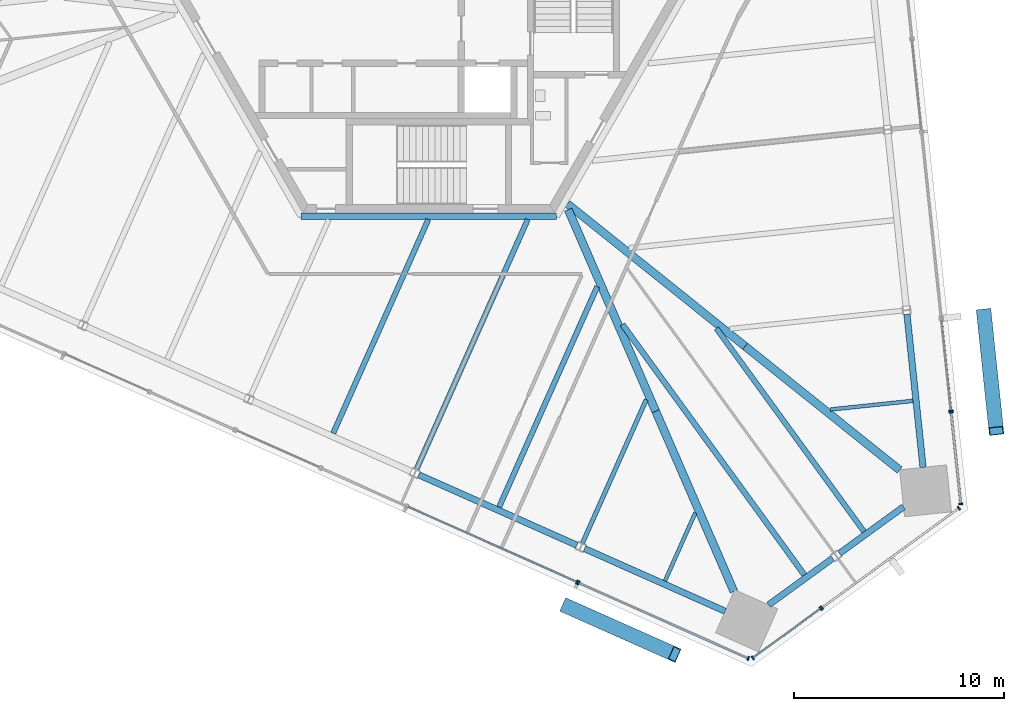
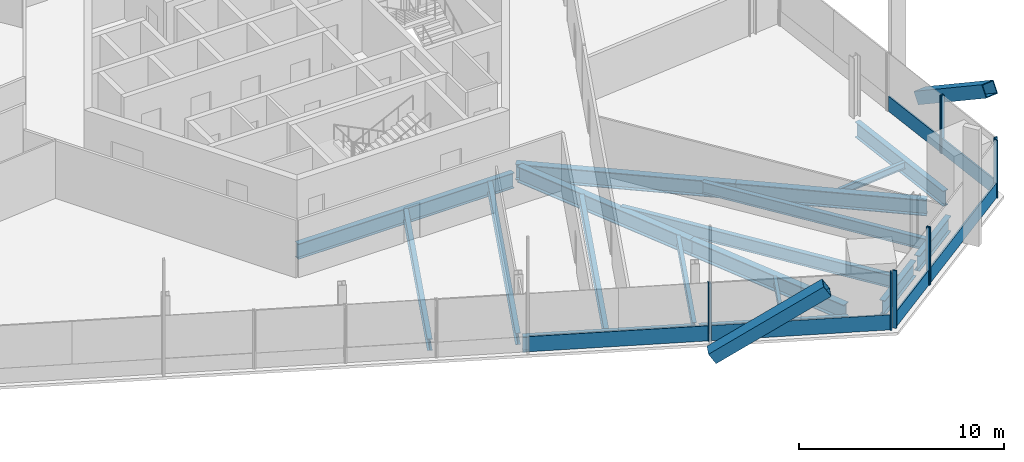
# One storey, part 4 of 21: 18 beams, 18 members, 6 elements without a shape of their own.
"""IFC4 building model written with IfcOpenShell, lengths in metres."""

from ifc_helpers import new_model, si_unit, direction, frame, origin, origin_2d, place, context, subcontext, project, spatial, rectangle, hollow_rectangle, i_section, extrude, source, transform, mapped, material, material_profile, profile_set, type_object, element, aggregate, save


model = new_model("IFC4")

# Units and contexts
model_context = context("Model", 3, precision=1e-05, world=origin(), true_north=direction((0.0, 1.0)))
body_context = subcontext(model_context, "Body", "Model", "MODEL_VIEW")
ifc_project = project(units=[si_unit("LENGTHUNIT", "METRE"), si_unit("AREAUNIT", "SQUARE_METRE"), si_unit("VOLUMEUNIT", "CUBIC_METRE"), si_unit("PLANEANGLEUNIT", "RADIAN"), si_unit("MASSUNIT", "GRAM", prefix="KILO")], contexts=[model_context])

# Site, building, storey
site_placement = place(None, origin())
site = spatial("IfcSite", under=ifc_project, at=site_placement, CompositionType="ELEMENT")
building_placement = place(site_placement, origin())
building = spatial("IfcBuilding", under=site, at=building_placement, Name="Triune Harvest Tower", CompositionType="ELEMENT")
storey_placement = place(building_placement, frame((0.0, 0.0, 87.300048828125)))
storey = spatial("IfcBuildingStorey", under=building, at=storey_placement, Name="L21", CompositionType="ELEMENT", Elevation=87.300048828125)

# Beams
ifc_material_1 = material(Name="Steel ASTM A992 Gr 50", Category="steel")
ifc_material_profile_1 = material_profile(ifc_material_1, i_section(OverallWidth=0.3046875, OverallDepth=0.914306640625, WebThickness=0.0166015625, FlangeThickness=0.02587890625, at=origin_2d()), Name="W36x160")
ifc_profile_set_1 = profile_set([ifc_material_profile_1], Name="Steel ASTM A992 Gr 50")
beam_type_1 = type_object("IfcBeamType", Name="CG-1 Core ring girder W36x160", PredefinedType="BEAM", material=ifc_profile_set_1)
shared_shape_1 = source(origin(), body_context, "Body", "SweptSolid", [
    extrude(i_section(OverallWidth=0.3046875, OverallDepth=0.914306640625, WebThickness=0.0166015625, FlangeThickness=0.02587890625, at=origin_2d()), origin(), (0.0, 0.0, 1.0), 12.17578125),
])
beam_1_placement = place(storey_placement, frame((-6.087890625, -10.544677734375, -0.6171875), z_axis=(1.0, 0.0, 0.0), x_axis=(0.0, 1.0, 0.0)))
element("IfcBeam", 1, at=beam_1_placement, inside=storey, type_object=beam_type_1, Name="beam/L21/CG5", PredefinedType="BEAM", context=body_context, shape_type="MappedRepresentation", body=[
    mapped(shared_shape_1, transform((0.0, 0.0, 0.0), scale=1.0)),
])
ifc_material_2 = material(Name="Steel ASTM A992 Gr 50", Category="steel")
ifc_material_profile_2 = material_profile(ifc_material_2, i_section(OverallWidth=0.383544921875, OverallDepth=0.9423828125, WebThickness=0.022216796875, FlangeThickness=0.039794921875, at=origin_2d()), Name="W36x232")
ifc_profile_set_2 = profile_set([ifc_material_profile_2], Name="Steel ASTM A992 Gr 50")
beam_type_2 = type_object("IfcBeamType", Name="HG-1 Hip girder W36x232", PredefinedType="BEAM", material=ifc_profile_set_2)
shared_shape_2 = source(origin(), body_context, "Body", "SweptSolid", [
    extrude(i_section(OverallWidth=0.383544921875, OverallDepth=0.9423828125, WebThickness=0.022216796875, FlangeThickness=0.039794921875, at=origin_2d()), origin(), (0.0, 0.0, 1.0), 10.8701171875),
])
beam_2_placement = place(storey_placement, frame((15.0908203125, -16.745849609375, -0.63134765625), z_axis=(-0.780344837212, 0.625349450337, 0.0), x_axis=(-0.625349450337, -0.780344837212, 0.0)))
element("IfcBeam", 2, at=beam_2_placement, inside=storey, type_object=beam_type_2, Name="beam/L21/HG2", PredefinedType="BEAM", context=body_context, shape_type="MappedRepresentation", body=[
    mapped(shared_shape_2, transform((0.0, 0.0, 0.0), scale=1.0)),
])
shared_shape_3 = source(origin(), body_context, "Body", "SweptSolid", [
    extrude(i_section(OverallWidth=0.383544921875, OverallDepth=0.9423828125, WebThickness=0.022216796875, FlangeThickness=0.039794921875, at=origin_2d()), origin(), (0.0, 0.0, 1.0), 10.48291015625),
])
beam_3_placement = place(storey_placement, frame((10.824462890625, -19.84521484375, -0.63134765625), z_axis=(-0.39806686292, 0.917356404374, 0.0), x_axis=(-0.917356404374, -0.39806686292, 0.0)))
element("IfcBeam", 3, at=beam_3_placement, inside=storey, type_object=beam_type_2, Name="beam/L21/HG8", PredefinedType="BEAM", context=body_context, shape_type="MappedRepresentation", body=[
    mapped(shared_shape_3, transform((0.0, 0.0, 0.0), scale=1.0)),
])
ifc_material_3 = material(Name="Steel ASTM A992 Gr 50", Category="steel")
ifc_material_profile_3 = material_profile(ifc_material_3, i_section(OverallWidth=0.3046875, OverallDepth=0.914306640625, WebThickness=0.0166015625, FlangeThickness=0.02587890625, at=origin_2d()), Name="W36x160")
ifc_profile_set_3 = profile_set([ifc_material_profile_3], Name="Steel ASTM A992 Gr 50")
beam_type_3 = type_object("IfcBeamType", Name="SB-1 Spandrel beam W36x160", PredefinedType="SPANDREL", material=ifc_profile_set_3)
shared_shape_4 = source(origin(), body_context, "Body", "SweptSolid", [
    extrude(i_section(OverallWidth=0.3046875, OverallDepth=0.914306640625, WebThickness=0.0166015625, FlangeThickness=0.02587890625, at=origin_2d()), origin(), (0.0, 0.0, 1.0), 7.337890625),
])
for number, where, z_axis, x_axis, name in (
    (4, (23.57568359375, -22.520751953125, -0.6171875), (-0.104539300002, 0.994520756322, 0.0), (-0.994520756322, -0.104539300002, 0.0), "beam/L21/SB1"),
    (5, (7.4296875, -26.396484375, -0.6171875), (0.913546560881, -0.406734165153, 0.0), (0.406734165153, 0.913546560881, 0.0), "beam/L21/SB22"),
):
    element("IfcBeam", number, at=place(storey_placement, frame(where, z_axis=z_axis, x_axis=x_axis)), inside=storey, type_object=beam_type_3, Name=name, PredefinedType="SPANDREL", context=body_context, shape_type="MappedRepresentation", body=[
        mapped(shared_shape_4, transform((0.0, 0.0, 0.0), scale=1.0)),
    ])
shared_shape_5 = source(origin(), body_context, "Body", "SweptSolid", [
    extrude(i_section(OverallWidth=0.3046875, OverallDepth=0.914306640625, WebThickness=0.0166015625, FlangeThickness=0.02587890625, at=origin_2d()), origin(), (0.0, 0.0, 1.0), 8.263427734375),
])
beam_4_placement = place(storey_placement, frame((-0.483642578125, -22.873291015625, -0.6171875), z_axis=(0.913544537455, -0.406738709846, 0.0), x_axis=(0.406738709846, 0.913544537455, 0.0)))
element("IfcBeam", 6, at=beam_4_placement, inside=storey, type_object=beam_type_3, Name="beam/L21/SB21", PredefinedType="SPANDREL", context=body_context, shape_type="MappedRepresentation", body=[
    mapped(shared_shape_5, transform((0.0, 0.0, 0.0), scale=1.0)),
])
shared_shape_6 = source(origin(), body_context, "Body", "SweptSolid", [
    extrude(i_section(OverallWidth=0.3046875, OverallDepth=0.914306640625, WebThickness=0.0166015625, FlangeThickness=0.02587890625, at=origin_2d()), origin(), (0.0, 0.0, 1.0), 3.77490234375),
])
for number, where, z_axis, x_axis, name in (
    (7, (16.2119140625, -29.0751953125, -0.6171875), (0.809026850732, 0.587771685942, 0.0), (-0.587771685942, 0.809026850732, 0.0), "beam/L21/SB23"),
    (8, (19.58837890625, -26.6220703125, -0.6171875), (0.809026850732, 0.587771685942, 0.0), (-0.587771685942, 0.809026850732, 0.0), "beam/L21/SB24"),
):
    element("IfcBeam", number, at=place(storey_placement, frame(where, z_axis=z_axis, x_axis=x_axis)), inside=storey, type_object=beam_type_3, Name=name, PredefinedType="SPANDREL", context=body_context, shape_type="MappedRepresentation", body=[
        mapped(shared_shape_6, transform((0.0, 0.0, 0.0), scale=1.0)),
    ])
shared_shape_7 = source(origin(), body_context, "Body", "SweptSolid", [
    extrude(i_section(OverallWidth=0.383544921875, OverallDepth=0.9423828125, WebThickness=0.022216796875, FlangeThickness=0.039794921875, at=origin_2d()), origin(), (0.0, 0.0, 1.0), 9.44091796875),
])
beam_5_placement = place(storey_placement, frame((22.4580078125, -22.649658203125, -0.63134765625), z_axis=(-0.780348817967, 0.625344482903, 0.0), x_axis=(-0.625344482903, -0.780348817967, 0.0)))
element("IfcBeam", 9, at=beam_5_placement, inside=storey, type_object=beam_type_2, Name="beam/L21/HG1", PredefinedType="BEAM", context=body_context, shape_type="MappedRepresentation", body=[
    mapped(shared_shape_7, transform((0.0, 0.0, 0.0), scale=1.0)),
])
shared_shape_8 = source(origin(), body_context, "Body", "SweptSolid", [
    extrude(i_section(OverallWidth=0.383544921875, OverallDepth=0.9423828125, WebThickness=0.022216796875, FlangeThickness=0.039794921875, at=origin_2d()), origin(), (0.0, 0.0, 1.0), 9.366943359375),
])
beam_6_placement = place(storey_placement, frame((14.552978515625, -28.43798828125, -0.63134765625), z_axis=(-0.398055044024, 0.917361532836, 0.0), x_axis=(-0.917361532836, -0.398055044024, 0.0)))
element("IfcBeam", 10, at=beam_6_placement, inside=storey, type_object=beam_type_2, Name="beam/L21/HG7", PredefinedType="BEAM", context=body_context, shape_type="MappedRepresentation", body=[
    mapped(shared_shape_8, transform((0.0, 0.0, 0.0), scale=1.0)),
])
ifc_material_4 = material(Name="Steel ASTM A992 Gr 50", Category="steel")
ifc_material_profile_4 = material_profile(ifc_material_4, i_section(OverallWidth=0.180908203125, OverallDepth=0.41650390625, WebThickness=0.010986328125, FlangeThickness=0.01806640625, at=origin_2d()), Name="W16x57")
ifc_profile_set_4 = profile_set([ifc_material_profile_4], Name="Steel ASTM A992 Gr 50")
beam_type_4 = type_object("IfcBeamType", Name="JT-1 Floor joist W16x57", PredefinedType="JOIST", material=ifc_profile_set_4)
shared_shape_9 = source(origin(), body_context, "Body", "SweptSolid", [
    extrude(i_section(OverallWidth=0.180908203125, OverallDepth=0.41650390625, WebThickness=0.010986328125, FlangeThickness=0.01806640625, at=origin_2d()), origin(), (0.0, 0.0, 1.0), 3.95068359375),
])
beam_7_placement = place(storey_placement, frame((23.089111328125, -19.34814453125, -0.368408203125), z_axis=(-0.994524737495, -0.104501418698, 0.0), x_axis=(0.104501418698, -0.994524737495, 0.0)))
element("IfcBeam", 11, at=beam_7_placement, inside=storey, type_object=beam_type_4, Name="beam/L21/JT1", PredefinedType="JOIST", context=body_context, shape_type="MappedRepresentation", body=[
    mapped(shared_shape_9, transform((0.0, 0.0, 0.0), scale=1.0)),
])
ifc_material_5 = material(Name="Steel ASTM A992 Gr 50", Category="steel")
ifc_material_profile_5 = material_profile(ifc_material_5, i_section(OverallWidth=0.253662109375, OverallDepth=0.683349609375, WebThickness=0.012451171875, FlangeThickness=0.01904296875, at=origin_2d()), Name="W27x94")
ifc_profile_set_5 = profile_set([ifc_material_profile_5], Name="Steel ASTM A992 Gr 50")
beam_type_5 = type_object("IfcBeamType", Name="JT-4 Floor joist W27x94", PredefinedType="JOIST", material=ifc_profile_set_5)
shared_shape_10 = source(origin(), body_context, "Body", "SweptSolid", [
    extrude(i_section(OverallWidth=0.253662109375, OverallDepth=0.683349609375, WebThickness=0.012451171875, FlangeThickness=0.01904296875, at=origin_2d()), origin(), (0.0, 0.0, 1.0), 11.51123046875),
])
beam_8_placement = place(storey_placement, frame((3.352783203125, -24.414794921875, -0.501708984375), z_axis=(0.406740530162, 0.91354372699, 0.0), x_axis=(-0.91354372699, 0.406740530162, 0.0)))
element("IfcBeam", 12, at=beam_8_placement, inside=storey, type_object=beam_type_5, Name="beam/L21/JT35", PredefinedType="JOIST", context=body_context, shape_type="MappedRepresentation", body=[
    mapped(shared_shape_10, transform((0.0, 0.0, 0.0), scale=1.0)),
])
shared_shape_11 = source(origin(), body_context, "Body", "SweptSolid", [
    extrude(i_section(OverallWidth=0.180908203125, OverallDepth=0.41650390625, WebThickness=0.010986328125, FlangeThickness=0.01806640625, at=origin_2d()), origin(), (0.0, 0.0, 1.0), 3.562255859375),
])
beam_9_placement = place(storey_placement, frame((11.26611328125, -27.93798828125, -0.368408203125), z_axis=(0.406767922158, 0.913531530656, 0.0), x_axis=(-0.913531530656, 0.406767922158, 0.0)))
element("IfcBeam", 13, at=beam_9_placement, inside=storey, type_object=beam_type_4, Name="beam/L21/JT37", PredefinedType="JOIST", context=body_context, shape_type="MappedRepresentation", body=[
    mapped(shared_shape_11, transform((0.0, 0.0, 0.0), scale=1.0)),
])
ifc_material_6 = material(Name="Steel ASTM A992 Gr 50", Category="steel")
ifc_material_profile_6 = material_profile(ifc_material_6, i_section(OverallWidth=0.2666015625, OverallDepth=0.7568359375, WebThickness=0.013916015625, FlangeThickness=0.019287109375, at=origin_2d()), Name="W30x108")
ifc_profile_set_6 = profile_set([ifc_material_profile_6], Name="Steel ASTM A992 Gr 50")
beam_type_6 = type_object("IfcBeamType", Name="JT-5 Floor joist W30x108", PredefinedType="JOIST", material=ifc_profile_set_6)
shared_shape_12 = source(origin(), body_context, "Body", "SweptSolid", [
    extrude(i_section(OverallWidth=0.2666015625, OverallDepth=0.7568359375, WebThickness=0.013916015625, FlangeThickness=0.019287109375, at=origin_2d()), origin(), (0.0, 0.0, 1.0), 14.766357421875),
])
beam_10_placement = place(storey_placement, frame((17.915283203125, -27.649169921875, -0.53857421875), z_axis=(-0.587783315485, 0.809018401544, 0.0), x_axis=(-0.809018401544, -0.587783315485, 0.0)))
element("IfcBeam", 14, at=beam_10_placement, inside=storey, type_object=beam_type_6, Name="beam/L21/JT38", PredefinedType="JOIST", context=body_context, shape_type="MappedRepresentation", body=[
    mapped(shared_shape_12, transform((0.0, 0.0, 0.0), scale=1.0)),
])
ifc_material_7 = material(Name="Steel ASTM A992 Gr 50", Category="steel")
ifc_material_profile_7 = material_profile(ifc_material_7, i_section(OverallWidth=0.2099609375, OverallDepth=0.535888671875, WebThickness=0.010986328125, FlangeThickness=0.017333984375, at=origin_2d()), Name="W21x68")
ifc_profile_set_7 = profile_set([ifc_material_profile_7], Name="Steel ASTM A992 Gr 50")
beam_type_7 = type_object("IfcBeamType", Name="JT-2 Floor joist W21x68", PredefinedType="JOIST", material=ifc_profile_set_7)
shared_shape_13 = source(origin(), body_context, "Body", "SweptSolid", [
    extrude(i_section(OverallWidth=0.2099609375, OverallDepth=0.535888671875, WebThickness=0.010986328125, FlangeThickness=0.017333984375, at=origin_2d()), origin(), (0.0, 0.0, 1.0), 7.4921875),
])
beam_11_placement = place(storey_placement, frame((7.32763671875, -26.1357421875, -0.427978515625), z_axis=(0.406737018568, 0.913545290463, 0.0), x_axis=(-0.913545290463, 0.406737018568, 0.0)))
element("IfcBeam", 15, at=beam_11_placement, inside=storey, type_object=beam_type_7, Name="beam/L21/JT36", PredefinedType="JOIST", context=body_context, shape_type="MappedRepresentation", body=[
    mapped(shared_shape_13, transform((0.0, 0.0, 0.0), scale=1.0)),
])
shared_shape_14 = source(origin(), body_context, "Body", "SweptSolid", [
    extrude(i_section(OverallWidth=0.253662109375, OverallDepth=0.683349609375, WebThickness=0.012451171875, FlangeThickness=0.01904296875, at=origin_2d()), origin(), (0.0, 0.0, 1.0), 11.159423828125),
])
beam_12_placement = place(storey_placement, frame((-4.560546875, -20.8916015625, -0.501708984375), z_axis=(0.406747338499, 0.913540695659, 0.0), x_axis=(-0.913540695659, 0.406747338499, 0.0)))
element("IfcBeam", 16, at=beam_12_placement, inside=storey, type_object=beam_type_5, Name="beam/L21/JT33", PredefinedType="JOIST", context=body_context, shape_type="MappedRepresentation", body=[
    mapped(shared_shape_14, transform((0.0, 0.0, 0.0), scale=1.0)),
])
shared_shape_15 = source(origin(), body_context, "Body", "SweptSolid", [
    extrude(i_section(OverallWidth=0.253662109375, OverallDepth=0.683349609375, WebThickness=0.012451171875, FlangeThickness=0.01904296875, at=origin_2d()), origin(), (0.0, 0.0, 1.0), 13.043212890625),
])
beam_13_placement = place(storey_placement, frame((-0.585693359375, -22.612548828125, -0.501708984375), z_axis=(0.40673927971, 0.913544283733, 0.0), x_axis=(-0.913544283733, 0.40673927971, 0.0)))
element("IfcBeam", 17, at=beam_13_placement, inside=storey, type_object=beam_type_5, Name="beam/L21/JT34", PredefinedType="JOIST", context=body_context, shape_type="MappedRepresentation", body=[
    mapped(shared_shape_15, transform((0.0, 0.0, 0.0), scale=1.0)),
])
shared_shape_16 = source(origin(), body_context, "Body", "SweptSolid", [
    extrude(i_section(OverallWidth=0.253662109375, OverallDepth=0.683349609375, WebThickness=0.012451171875, FlangeThickness=0.01904296875, at=origin_2d()), origin(), (0.0, 0.0, 1.0), 11.97802734375),
])
beam_14_placement = place(storey_placement, frame((20.759521484375, -25.582763671875, -0.501708984375), z_axis=(-0.587786239195, 0.809016277347, 0.0), x_axis=(-0.809016277347, -0.587786239195, 0.0)))
element("IfcBeam", 18, at=beam_14_placement, inside=storey, type_object=beam_type_5, Name="beam/L21/JT39", PredefinedType="JOIST", context=body_context, shape_type="MappedRepresentation", body=[
    mapped(shared_shape_16, transform((0.0, 0.0, 0.0), scale=1.0)),
])

# Members
ifc_material_8 = material(Name="Steel ASTM A572 Gr 50", Category="steel")
ifc_material_profile_8 = material_profile(ifc_material_8, hollow_rectangle(XDim=0.699951171875, YDim=0.699951171875, WallThickness=0.0400390625, at=origin_2d()), Name="Box 700x700x40")
ifc_profile_set_8 = profile_set([ifc_material_profile_8], Name="Steel ASTM A572 Gr 50")
member_type_1 = type_object("IfcMemberType", Name="BR-1 Brace Box 700x700x40", PredefinedType="BRACE", material=ifc_profile_set_8)
shared_shape_17 = source(origin(), body_context, "Body", "SweptSolid", [
    extrude(hollow_rectangle(XDim=0.699951171875, YDim=0.699951171875, WallThickness=0.0400390625, at=origin_2d()), origin(), (0.0, 0.0, 1.0), 6.7021484375),
])
member_1_placement = place(storey_placement, frame((26.477294921875, -15.157958984375, 0.0), z_axis=(0.088154221721, -0.838885773554, 0.537121487301), x_axis=(0.994523894921, 0.104509437045, 0.0)))
element("IfcMember", 19, at=member_1_placement, inside=storey, type_object=member_type_1, Name="brace/B2-F1/d2/9", PredefinedType="BRACE", context=body_context, shape_type="MappedRepresentation", body=[
    mapped(shared_shape_17, transform((0.0, 0.0, 0.0), scale=1.0)),
])
shared_shape_18 = source(origin(), body_context, "Body", "SweptSolid", [
    extrude(hollow_rectangle(XDim=0.699951171875, YDim=0.699951171875, WallThickness=0.0400390625, at=origin_2d()), origin(), (0.0, 0.0, 1.0), 6.702392578125),
])
member_2_placement = place(storey_placement, frame((6.559326171875, -29.134765625, 0.0), z_axis=(0.770599671069, -0.343063469729, 0.537106695812), x_axis=(0.406707348272, 0.913558499967, 0.0)))
element("IfcMember", 20, at=member_2_placement, inside=storey, type_object=member_type_1, Name="brace/B2-F5/d1/9", PredefinedType="BRACE", context=body_context, shape_type="MappedRepresentation", body=[
    mapped(shared_shape_18, transform((0.0, 0.0, 0.0), scale=1.0)),
])

# Curtain wall, members
ifc_material_9 = material(Name="Aluminium bronze anodised", Category="aluminium")
curtain_wall_type_1 = type_object("IfcCurtainWallType", Name="CW-7 Tower stick curtain wall with insulated spandrel infill", PredefinedType="NOTDEFINED", material=ifc_material_9)
curtain_wall_1_placement = place(storey_placement, origin())
curtain_wall_1 = element("IfcCurtainWall", 21, at=curtain_wall_1_placement, inside=storey, type_object=curtain_wall_type_1, Name="CW-7 B2-F1 L21 run 1")
ifc_material_10 = material(Name="Aluminium bronze anodised", Category="aluminium")
ifc_material_profile_9 = material_profile(ifc_material_10, rectangle(XDim=0.199951171875, YDim=0.074951171875, at=origin_2d()), Name="MU-1 mullion 75 x 200")
ifc_profile_set_9 = profile_set([ifc_material_profile_9], Name="Aluminium bronze anodised")
member_type_2 = type_object("IfcMemberType", Name="MU-1 mullion 75 x 200", PredefinedType="MULLION", material=ifc_profile_set_9)
shared_shape_19 = source(origin(), body_context, "Body", "SweptSolid", [
    extrude(rectangle(XDim=0.199951171875, YDim=0.074951171875, at=origin_2d()), origin(), (0.0, 0.0, 1.0), 3.43994140625),
])
member_3_placement = place(storey_placement, frame((25.373291015625, -24.2666015625, 0.0), z_axis=(0.0, 0.0, 1.0), x_axis=(-0.994522143831, -0.104526099273, 0.0)))
member_3 = element("IfcMember", 22, at=member_3_placement, type_object=member_type_2, Name="CW-7 mullion B2-F1 1.1", PredefinedType="MULLION", context=body_context, shape_type="MappedRepresentation", body=[
    mapped(shared_shape_19, transform((0.0, 0.0, 0.0), scale=1.0)),
])
member_4_placement = place(storey_placement, frame((24.913818359375, -19.895263671875, 0.0), z_axis=(0.0, 0.0, 1.0), x_axis=(-0.994522143831, -0.104526099273, 0.0)))
member_4 = element("IfcMember", 23, at=member_4_placement, type_object=member_type_2, Name="CW-7 mullion B2-F1 1.2", PredefinedType="MULLION", context=body_context, shape_type="MappedRepresentation", body=[
    mapped(shared_shape_19, transform((0.0, 0.0, 0.0), scale=1.0)),
])

# Curtain wall, member
ifc_material_11 = material(Name="Aluminium bronze anodised", Category="aluminium")
curtain_wall_type_2 = type_object("IfcCurtainWallType", Name="CW-1 Tower stick curtain wall", PredefinedType="NOTDEFINED", material=ifc_material_11)
curtain_wall_2_placement = place(storey_placement, origin())
curtain_wall_2 = element("IfcCurtainWall", 24, at=curtain_wall_2_placement, inside=storey, type_object=curtain_wall_type_2, Name="CW-1 B2-F1 L21 run 1001")
member_5_placement = place(storey_placement, frame((24.906005859375, -19.820556640625, 0.0), z_axis=(0.0, 0.0, 1.0), x_axis=(-0.994521986995, -0.104527591495, 0.0)))
member_5 = element("IfcMember", 25, at=member_5_placement, type_object=member_type_2, Name="CW-1 mullion B2-F1 1001.1", PredefinedType="MULLION", context=body_context, shape_type="MappedRepresentation", body=[
    mapped(shared_shape_19, transform((0.0, 0.0, 0.0), scale=1.0)),
])

curtain_wall_3_placement = place(storey_placement, origin())
curtain_wall_3 = element("IfcCurtainWall", 26, at=curtain_wall_3_placement, inside=storey, type_object=curtain_wall_type_2, Name="CW-1 B2-F5 L21 run 7001")
member_6_placement = place(storey_placement, frame((7.070068359375, -27.99365234375, 0.0), z_axis=(0.0, 0.0, 1.0), x_axis=(0.406739216975, 0.913544311665, 0.0)))
member_6 = element("IfcMember", 27, at=member_6_placement, type_object=member_type_2, Name="CW-1 mullion B2-F5 7001.3", PredefinedType="MULLION", context=body_context, shape_type="MappedRepresentation", body=[
    mapped(shared_shape_19, transform((0.0, 0.0, 0.0), scale=1.0)),
])

# Curtain wall, members
curtain_wall_4_placement = place(storey_placement, origin())
curtain_wall_4 = element("IfcCurtainWall", 28, at=curtain_wall_4_placement, inside=storey, type_object=curtain_wall_type_1, Name="CW-7 B2-F5 L21 run 8001")
member_7_placement = place(storey_placement, frame((7.138671875, -28.024169921875, 0.0), z_axis=(0.0, 0.0, 1.0), x_axis=(0.406735261097, 0.913546072938, 0.0)))
member_7 = element("IfcMember", 29, at=member_7_placement, type_object=member_type_2, Name="CW-7 mullion B2-F5 8001.1", PredefinedType="MULLION", context=body_context, shape_type="MappedRepresentation", body=[
    mapped(shared_shape_19, transform((0.0, 0.0, 0.0), scale=1.0)),
])
member_8_placement = place(storey_placement, frame((15.23828125, -31.63037109375, 0.0), z_axis=(0.0, 0.0, 1.0), x_axis=(0.406735261097, 0.913546072938, 0.0)))
member_8 = element("IfcMember", 30, at=member_8_placement, type_object=member_type_2, Name="CW-7 mullion B2-F5 8001.3", PredefinedType="MULLION", context=body_context, shape_type="MappedRepresentation", body=[
    mapped(shared_shape_19, transform((0.0, 0.0, 0.0), scale=1.0)),
])

curtain_wall_5_placement = place(storey_placement, origin())
curtain_wall_5 = element("IfcCurtainWall", 31, at=curtain_wall_5_placement, inside=storey, type_object=curtain_wall_type_2, Name="CW-1 B2-F6 L21 run 1")
member_9_placement = place(storey_placement, frame((15.457763671875, -31.607177734375, 0.0), z_axis=(0.0, 0.0, 1.0), x_axis=(-0.58779469155, 0.809010136269, 0.0)))
member_9 = element("IfcMember", 32, at=member_9_placement, type_object=member_type_2, Name="CW-1 mullion B2-F6 1.1", PredefinedType="MULLION", context=body_context, shape_type="MappedRepresentation", body=[
    mapped(shared_shape_19, transform((0.0, 0.0, 0.0), scale=1.0)),
])
member_10_placement = place(storey_placement, frame((18.692626953125, -29.257080078125, 0.0), z_axis=(0.0, 0.0, 1.0), x_axis=(-0.58779469155, 0.809010136269, 0.0)))
member_10 = element("IfcMember", 33, at=member_10_placement, type_object=member_type_2, Name="CW-1 mullion B2-F6 1.2", PredefinedType="MULLION", context=body_context, shape_type="MappedRepresentation", body=[
    mapped(shared_shape_19, transform((0.0, 0.0, 0.0), scale=1.0)),
])

curtain_wall_6_placement = place(storey_placement, origin())
curtain_wall_6 = element("IfcCurtainWall", 34, at=curtain_wall_6_placement, inside=storey, type_object=curtain_wall_type_1, Name="CW-7 B2-F6 L21 run 1001")
member_11_placement = place(storey_placement, frame((18.753173828125, -29.212890625, 0.0), z_axis=(0.0, 0.0, 1.0), x_axis=(-0.587788292708, 0.809014785375, 0.0)))
member_11 = element("IfcMember", 35, at=member_11_placement, type_object=member_type_2, Name="CW-7 mullion B2-F6 1001.1", PredefinedType="MULLION", context=body_context, shape_type="MappedRepresentation", body=[
    mapped(shared_shape_19, transform((0.0, 0.0, 0.0), scale=1.0)),
])
member_12_placement = place(storey_placement, frame((25.283447265625, -24.468505859375, 0.0), z_axis=(0.0, 0.0, 1.0), x_axis=(-0.587788292708, 0.809014785375, 0.0)))
member_12 = element("IfcMember", 36, at=member_12_placement, type_object=member_type_2, Name="CW-7 mullion B2-F6 1001.3", PredefinedType="MULLION", context=body_context, shape_type="MappedRepresentation", body=[
    mapped(shared_shape_19, transform((0.0, 0.0, 0.0), scale=1.0)),
])

# Member
ifc_material_12 = material(Name="Aluminium bronze anodised", Category="aluminium")
ifc_material_profile_10 = material_profile(ifc_material_12, rectangle(XDim=0.090087890625, YDim=0.89990234375, at=origin_2d()), Name="TR-1 transom 90 x 900")
ifc_profile_set_10 = profile_set([ifc_material_profile_10], Name="Aluminium bronze anodised")
member_type_3 = type_object("IfcMemberType", Name="TR-1 transom 90 x 900", PredefinedType="USERDEFINED", material=ifc_profile_set_10)
shared_shape_20 = source(origin(), body_context, "Body", "SweptSolid", [
    extrude(rectangle(XDim=0.090087890625, YDim=0.89990234375, at=origin_2d()), origin(), (0.0, 0.0, 1.0), 8.791259765625),
])
member_13_placement = place(storey_placement, frame((-0.995361328125, -24.402587890625, 0.449951171875), z_axis=(0.913537644451, -0.406754191338, 0.0), x_axis=(0.406754191338, 0.913537644451, 0.0)))
member_13 = element("IfcMember", 37, at=member_13_placement, type_object=member_type_3, Name="CW-1 transom B2-F5 7001.1", ObjectType="TRANSOM", PredefinedType="USERDEFINED", context=body_context, shape_type="MappedRepresentation", body=[
    mapped(shared_shape_20, transform((0.0, 0.0, 0.0), scale=1.0)),
])

aggregate(curtain_wall_3, [member_6, member_13])

shared_shape_21 = source(origin(), body_context, "Body", "SweptSolid", [
    extrude(rectangle(XDim=0.090087890625, YDim=0.89990234375, at=origin_2d()), origin(), (0.0, 0.0, 1.0), 8.791015625),
])
member_14_placement = place(storey_placement, frame((7.1728515625, -28.039306640625, 0.449951171875), z_axis=(0.913543369074, -0.406741334046, 0.0), x_axis=(0.406741334046, 0.913543369074, 0.0)))
member_14 = element("IfcMember", 38, at=member_14_placement, type_object=member_type_3, Name="CW-7 transom B2-F5 8001.1", ObjectType="TRANSOM", PredefinedType="USERDEFINED", context=body_context, shape_type="MappedRepresentation", body=[
    mapped(shared_shape_21, transform((0.0, 0.0, 0.0), scale=1.0)),
])

aggregate(curtain_wall_4, [member_7, member_8, member_14])

shared_shape_22 = source(origin(), body_context, "Body", "SweptSolid", [
    extrude(rectangle(XDim=0.090087890625, YDim=0.89990234375, at=origin_2d()), origin(), (0.0, 0.0, 1.0), 4.32080078125),
])
member_15_placement = place(storey_placement, frame((25.369384765625, -24.2294921875, 0.449951171875), z_axis=(-0.104531836291, 0.994521540843, 0.0), x_axis=(-0.994521540843, -0.104531836291, 0.0)))
member_15 = element("IfcMember", 39, at=member_15_placement, type_object=member_type_3, Name="CW-7 transom B2-F1 1.1", ObjectType="TRANSOM", PredefinedType="USERDEFINED", context=body_context, shape_type="MappedRepresentation", body=[
    mapped(shared_shape_22, transform((0.0, 0.0, 0.0), scale=1.0)),
])

aggregate(curtain_wall_1, [member_3, member_4, member_15])

shared_shape_23 = source(origin(), body_context, "Body", "SweptSolid", [
    extrude(rectangle(XDim=0.090087890625, YDim=0.89990234375, at=origin_2d()), origin(), (0.0, 0.0, 1.0), 4.320556640625),
])
member_16_placement = place(storey_placement, frame((24.902099609375, -19.783203125, 0.449951171875), z_axis=(-0.104537710696, 0.994520923381, 0.0), x_axis=(-0.994520923381, -0.104537710696, 0.0)))
member_16 = element("IfcMember", 40, at=member_16_placement, type_object=member_type_3, Name="CW-1 transom B2-F1 1001.1", ObjectType="TRANSOM", PredefinedType="USERDEFINED", context=body_context, shape_type="MappedRepresentation", body=[
    mapped(shared_shape_23, transform((0.0, 0.0, 0.0), scale=1.0)),
])

aggregate(curtain_wall_2, [member_5, member_16])

shared_shape_24 = source(origin(), body_context, "Body", "SweptSolid", [
    extrude(rectangle(XDim=0.090087890625, YDim=0.89990234375, at=origin_2d()), origin(), (0.0, 0.0, 1.0), 7.996826171875),
])
member_17_placement = place(storey_placement, frame((18.78369140625, -29.19091796875, 0.449951171875), z_axis=(0.809011919631, 0.587792237015, 0.0), x_axis=(-0.587792237015, 0.809011919631, 0.0)))
member_17 = element("IfcMember", 41, at=member_17_placement, type_object=member_type_3, Name="CW-7 transom B2-F6 1001.1", ObjectType="TRANSOM", PredefinedType="USERDEFINED", context=body_context, shape_type="MappedRepresentation", body=[
    mapped(shared_shape_24, transform((0.0, 0.0, 0.0), scale=1.0)),
])

aggregate(curtain_wall_6, [member_11, member_12, member_17])

shared_shape_25 = source(origin(), body_context, "Body", "SweptSolid", [
    extrude(rectangle(XDim=0.090087890625, YDim=0.89990234375, at=origin_2d()), origin(), (0.0, 0.0, 1.0), 3.923095703125),
])
member_18_placement = place(storey_placement, frame((15.48828125, -31.585205078125, 0.449951171875), z_axis=(0.808988965728, 0.587823828482, 0.0), x_axis=(-0.587823828482, 0.808988965728, 0.0)))
member_18 = element("IfcMember", 42, at=member_18_placement, type_object=member_type_3, Name="CW-1 transom B2-F6 1.1", ObjectType="TRANSOM", PredefinedType="USERDEFINED", context=body_context, shape_type="MappedRepresentation", body=[
    mapped(shared_shape_25, transform((0.0, 0.0, 0.0), scale=1.0)),
])

aggregate(curtain_wall_5, [member_9, member_10, member_18])

save(model, "model.ifc")
